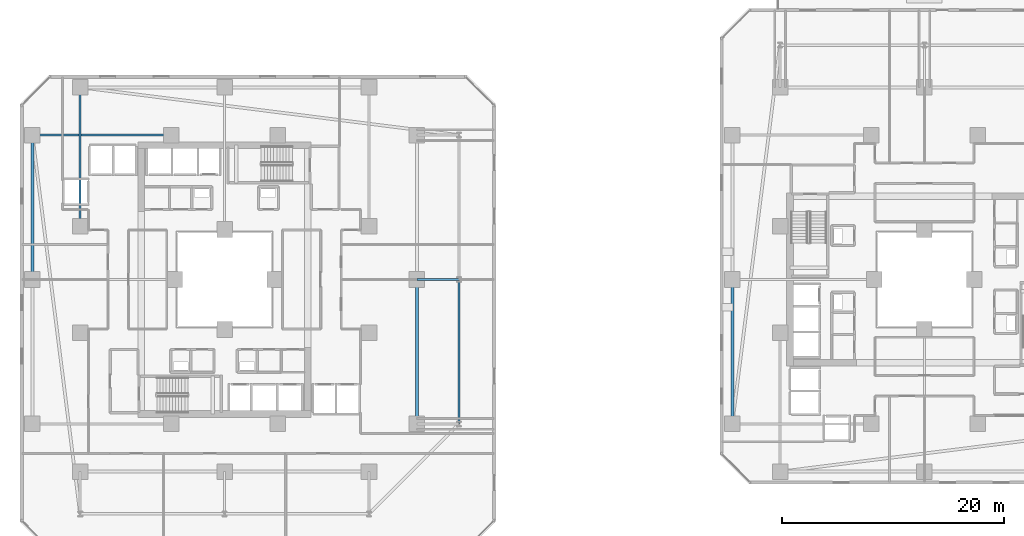
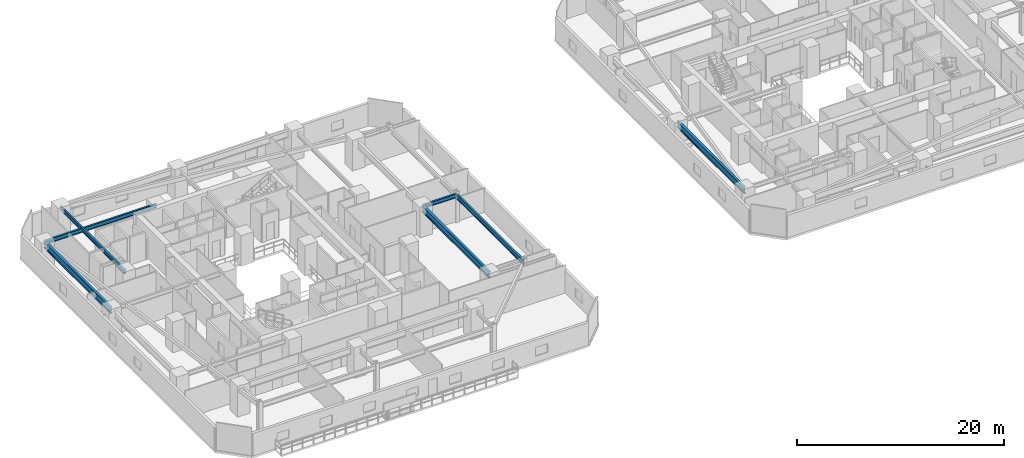
# One storey, part 7 of 36: 7 beams.
"""IFC4 building model written with IfcOpenShell, lengths in metres."""

from ifc_helpers import new_model, si_unit, direction, frame, origin, origin_2d, place, context, subcontext, project, spatial, i_section, extrude, material, material_profile, profile_set, type_object, element, save


model = new_model("IFC4")

# Units and contexts
model_context = context("Model", 3, precision=1e-05, world=origin(), true_north=direction((0.0, 1.0)))
body_context = subcontext(model_context, "Body", "Model", "MODEL_VIEW")
ifc_project = project(units=[si_unit("LENGTHUNIT", "METRE"), si_unit("AREAUNIT", "SQUARE_METRE"), si_unit("VOLUMEUNIT", "CUBIC_METRE"), si_unit("PLANEANGLEUNIT", "RADIAN"), si_unit("MASSUNIT", "GRAM", prefix="KILO")], contexts=[model_context])

# Site, building, storey
site_placement = place(None, origin())
site = spatial("IfcSite", under=ifc_project, at=site_placement, CompositionType="ELEMENT")
building_placement = place(site_placement, origin())
building = spatial("IfcBuilding", under=site, at=building_placement, Name="Thornwick Lancets Civic Towers", CompositionType="ELEMENT")
storey_placement = place(building_placement, frame((0.0, 0.0, 68.10009765625)))
storey = spatial("IfcBuildingStorey", under=building, at=storey_placement, Name="L17", CompositionType="ELEMENT", Elevation=68.10009765625)

# Beams
ifc_material = material(Name="Steel S355JR", Category="steel")
ifc_material_profile_1 = material_profile(ifc_material, i_section(OverallWidth=0.2119140625, OverallDepth=0.54443359375, WebThickness=0.0126953125, FlangeThickness=0.021240234375, FilletRadius=0.0126953125, at=origin_2d()), Name="UKB 533x210x122")
ifc_profile_set_1 = profile_set([ifc_material_profile_1], Name="Steel S355JR")
beam_type_1 = type_object("IfcBeamType", Name="BM_EDGE_533_122", PredefinedType="SPANDREL", material=ifc_profile_set_1)
beam_1_placement = place(storey_placement, frame((46.60009765625, 14.0, 3.007568359375), z_axis=(0.0, 1.0, 0.0), x_axis=(-1.0, 0.0, 0.0)))
element("IfcBeam", 1, at=beam_1_placement, inside=storey, type_object=beam_type_1, Name="BM-EDGE-L17-A-S1-1", PredefinedType="SPANDREL", context=body_context, shape_type="SweptSolid", body=[
    extrude(i_section(OverallWidth=0.2119140625, OverallDepth=0.54443359375, WebThickness=0.0126953125, FlangeThickness=0.021240234375, FilletRadius=0.0126953125, at=origin_2d()), origin(), (0.0, 0.0, 1.0), 13.0),
])
ifc_material_profile_2 = material_profile(ifc_material, i_section(OverallWidth=0.26806640625, OverallDepth=0.769775390625, WebThickness=0.015625, FlangeThickness=0.025390625, FilletRadius=0.0166015625, at=origin_2d()), Name="UKB 762x267x197")
ifc_profile_set_2 = profile_set([ifc_material_profile_2], Name="Steel S355JR")
beam_type_2 = type_object("IfcBeamType", Name="BM_GIRD_762_197", PredefinedType="BEAM", material=ifc_profile_set_2)
beam_2_placement = place(storey_placement, frame((42.800048828125, 14.0, 2.89501953125), z_axis=(0.0, 1.0, 0.0), x_axis=(-1.0, 0.0, 0.0)))
element("IfcBeam", 2, at=beam_2_placement, inside=storey, type_object=beam_type_2, Name="BM-SPINE-L17-A-3-4", PredefinedType="BEAM", context=body_context, shape_type="SweptSolid", body=[
    extrude(i_section(OverallWidth=0.26806640625, OverallDepth=0.769775390625, WebThickness=0.015625, FlangeThickness=0.025390625, FilletRadius=0.0166015625, at=origin_2d()), origin(), (0.0, 0.0, 1.0), 13.0),
])
beam_3_placement = place(storey_placement, frame((8.199951171875, 27.080078125, 2.89501953125), z_axis=(0.0, 1.0, 0.0), x_axis=(-1.0, 0.0, 0.0)))
element("IfcBeam", 3, at=beam_3_placement, inside=storey, type_object=beam_type_2, Name="BM-SPINE-L17-A-10-11", PredefinedType="BEAM", context=body_context, shape_type="SweptSolid", body=[
    extrude(i_section(OverallWidth=0.26806640625, OverallDepth=0.769775390625, WebThickness=0.015625, FlangeThickness=0.025390625, FilletRadius=0.0166015625, at=origin_2d()), origin(), (0.0, 0.0, 1.0), 12.919921875),
])
beam_4_placement = place(storey_placement, frame((71.199951171875, 14.0, 2.89501953125), z_axis=(0.0, 1.0, 0.0), x_axis=(-1.0, 0.0, 0.0)))
element("IfcBeam", 4, at=beam_4_placement, inside=storey, type_object=beam_type_2, Name="BM-SPINE-L17-B-6-7", PredefinedType="BEAM", context=body_context, shape_type="SweptSolid", body=[
    extrude(i_section(OverallWidth=0.26806640625, OverallDepth=0.769775390625, WebThickness=0.015625, FlangeThickness=0.025390625, FilletRadius=0.0166015625, at=origin_2d()), origin(), (0.0, 0.0, 1.0), 13.0),
])
ifc_material_profile_3 = material_profile(ifc_material, i_section(OverallWidth=0.19287109375, OverallDepth=0.46728515625, WebThickness=0.011474609375, FlangeThickness=0.01953125, FilletRadius=0.01025390625, at=origin_2d()), Name="UKB 457x191x98")
ifc_profile_set_3 = profile_set([ifc_material_profile_3], Name="Steel S355JR")
beam_type_3 = type_object("IfcBeamType", Name="BM_JOIST_457_98", PredefinedType="JOIST", material=ifc_profile_set_3)
beam_5_placement = place(storey_placement, frame((42.800048828125, 27.0, 3.04638671875), z_axis=(1.0, 0.0, 0.0), x_axis=(0.0, 1.0, 0.0)))
element("IfcBeam", 5, at=beam_5_placement, inside=storey, type_object=beam_type_3, Name="BM-RAD-L17-A05", PredefinedType="JOIST", context=body_context, shape_type="SweptSolid", body=[
    extrude(i_section(OverallWidth=0.19287109375, OverallDepth=0.46728515625, WebThickness=0.011474609375, FlangeThickness=0.01953125, FilletRadius=0.01025390625, at=origin_2d()), origin(), (0.0, 0.0, 1.0), 3.800048828125),
])
for number, where, z_axis, x_axis, name in (
    (6, (12.5, 31.800048828125, 3.04638671875), (0.0, 1.0, 0.0), (-1.0, 0.0, 0.0), "BM-RADIN-L17-A07"),
    (7, (20.699951171875, 40.0, 3.04638671875), (-1.0, 0.0, 0.0), (0.0, -1.0, 0.0), "BM-RADIN-L17-A12"),
):
    element("IfcBeam", number, at=place(storey_placement, frame(where, z_axis=z_axis, x_axis=x_axis)), inside=storey, type_object=beam_type_3, Name=name, PredefinedType="JOIST", context=body_context, shape_type="SweptSolid", body=[
        extrude(i_section(OverallWidth=0.19287109375, OverallDepth=0.46728515625, WebThickness=0.011474609375, FlangeThickness=0.01953125, FilletRadius=0.01025390625, at=origin_2d()), origin(), (0.0, 0.0, 1.0), 12.5),
    ])

save(model, "model.ifc")
